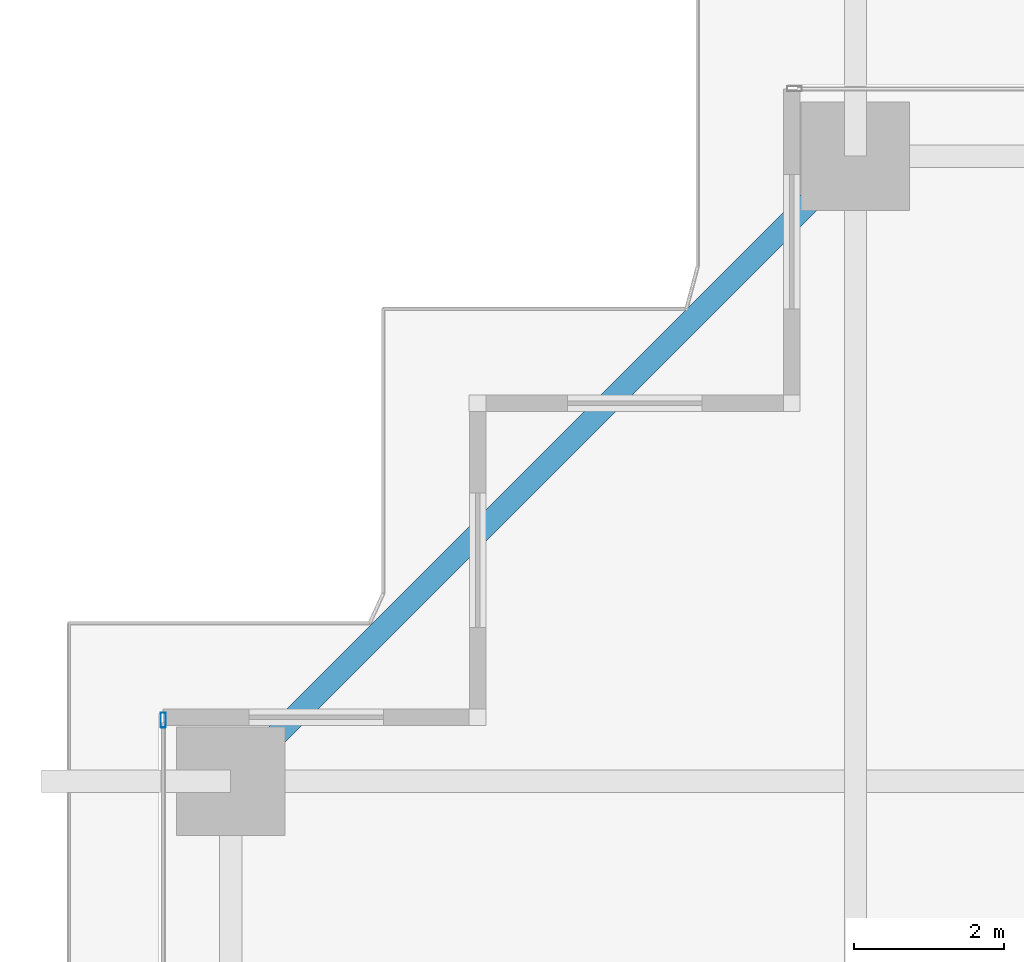
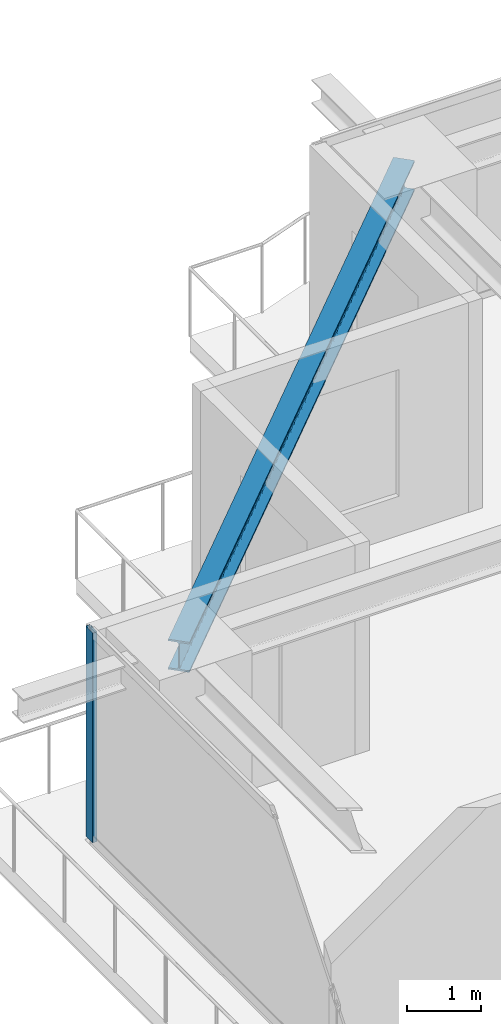
# One storey, part 17 of 38: 1 beam, 1 member, 1 element without a shape of its own.
"""IFC4 building model written with IfcOpenShell, lengths in metres."""

from ifc_helpers import new_model, si_unit, direction, frame, origin, origin_2d, place, context, subcontext, project, spatial, hollow_rectangle, i_section, extrude, source, transform, mapped, material, layer, layer_set, material_profile, profile_set, type_object, element, aggregate, save


model = new_model("IFC4")

# Units and contexts
model_context = context("Model", 3, precision=1e-05, world=origin(), true_north=direction((0.0, 1.0)))
body_context = subcontext(model_context, "Body", "Model", "MODEL_VIEW")
ifc_project = project(units=[si_unit("LENGTHUNIT", "METRE"), si_unit("AREAUNIT", "SQUARE_METRE"), si_unit("VOLUMEUNIT", "CUBIC_METRE"), si_unit("PLANEANGLEUNIT", "RADIAN"), si_unit("MASSUNIT", "GRAM", prefix="KILO")], contexts=[model_context])

# Site, building, storey
site_placement = place(None, origin())
site = spatial("IfcSite", under=ifc_project, at=site_placement, CompositionType="ELEMENT")
building_placement = place(site_placement, origin())
building = spatial("IfcBuilding", under=site, at=building_placement, Name="Serunith Strait Residences", CompositionType="ELEMENT")
storey_placement = place(building_placement, frame((0.0, 0.0, 52.949951171875)))
storey = spatial("IfcBuildingStorey", under=building, at=storey_placement, Name="L12", CompositionType="ELEMENT", Elevation=52.949951171875)

# Beam
ifc_material_1 = material(Name="Steel S355J2", Category="steel")
ifc_material_profile_1 = material_profile(ifc_material_1, i_section(OverallWidth=0.300048828125, OverallDepth=0.5, WebThickness=0.014404296875, FlangeThickness=0.028076171875, FilletRadius=0.027099609375, at=origin_2d()), Name="HEB 500")
ifc_profile_set_1 = profile_set([ifc_material_profile_1], Name="Steel S355J2")
beam_type = type_object("IfcBeamType", Name="BM-HEB500", PredefinedType="BEAM", material=ifc_profile_set_1)
shared_shape_1 = source(origin(), body_context, "Body", "SweptSolid", [
    extrude(i_section(OverallWidth=0.300048828125, OverallDepth=0.5, WebThickness=0.014404296875, FlangeThickness=0.028076171875, FilletRadius=0.027099609375, at=origin_2d()), origin(), (0.0, 0.0, 1.0), 11.808837890625),
])
beam_placement = place(storey_placement, frame((15.25, 49.300048828125, 3.20703125), z_axis=(-0.707106781187, -0.707106781187, 0.0), x_axis=(0.707106781187, -0.707106781187, 0.0)))
element("IfcBeam", 1, at=beam_placement, inside=storey, type_object=beam_type, Name="L12 Perimeter Ring Beam 12", PredefinedType="BEAM", context=body_context, shape_type="MappedRepresentation", body=[
    mapped(shared_shape_1, transform((0.0, 0.0, 0.0), scale=1.0)),
])

# Curtain wall, member
ifc_material_2 = material(Name="Pale-Champagne Anodised Aluminium", Category="aluminium")
ifc_layer = layer(ifc_material_2, 0.199951171875, Name="Pale-Champagne Anodised Aluminium")
ifc_layer_set = layer_set([ifc_layer], Name="Pale-Champagne Anodised Aluminium")
curtain_wall_type = type_object("IfcCurtainWallType", Name="CW-SYS1", PredefinedType="NOTDEFINED", material=ifc_layer_set)
curtain_wall_placement = place(storey_placement, origin())
curtain_wall = element("IfcCurtainWall", 2, at=curtain_wall_placement, inside=storey, type_object=curtain_wall_type, Name="L12 W Unitised Fritted Curtain Wall", PredefinedType="NOTDEFINED")
ifc_material_profile_2 = material_profile(ifc_material_2, hollow_rectangle(XDim=0.070068359375, YDim=0.199951171875, WallThickness=0.00390625, InnerFilletRadius=0.006103515625, OuterFilletRadius=0.010009765625, at=origin_2d()), Name="ALU 200x70x4")
ifc_profile_set_2 = profile_set([ifc_material_profile_2], Name="Pale-Champagne Anodised Aluminium")
member_type = type_object("IfcMemberType", Name="CW-SYS1-MULL", PredefinedType="MULLION", material=ifc_profile_set_2)
shared_shape_2 = source(origin(), body_context, "Body", "SweptSolid", [
    extrude(hollow_rectangle(XDim=0.070068359375, YDim=0.199951171875, WallThickness=0.00390625, InnerFilletRadius=0.006103515625, OuterFilletRadius=0.010009765625, at=origin_2d()), origin(), (0.0, 0.0, 1.0), 3.47509765625),
])
member_placement = place(storey_placement, frame((6.0, 41.764892578125, 0.0), z_axis=(0.0, 0.0, 1.0), x_axis=(1.0, 0.0, 0.0)))
member = element("IfcMember", 3, at=member_placement, type_object=member_type, Name="CW-1 mullion 1", PredefinedType="MULLION", context=body_context, shape_type="MappedRepresentation", body=[
    mapped(shared_shape_2, transform((0.0, 0.0, 0.0), scale=1.0)),
])
aggregate(curtain_wall, [member])

save(model, "model.ifc")
